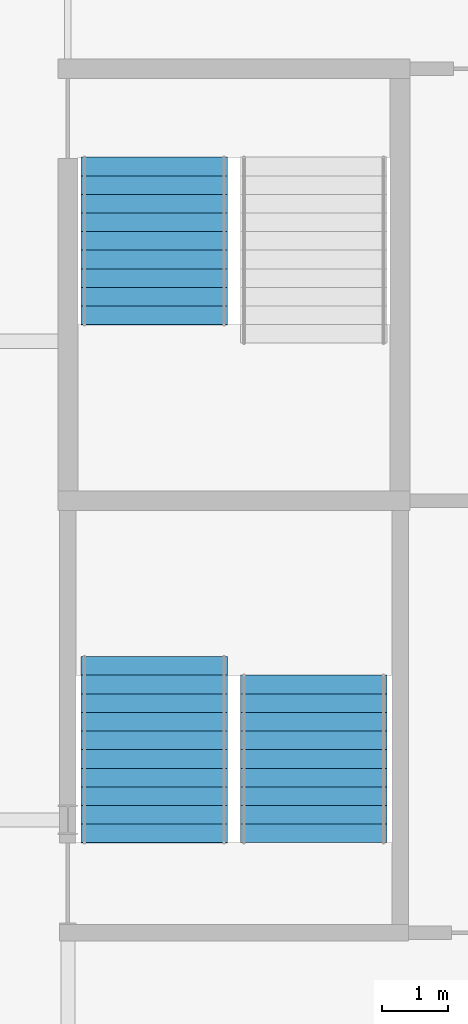
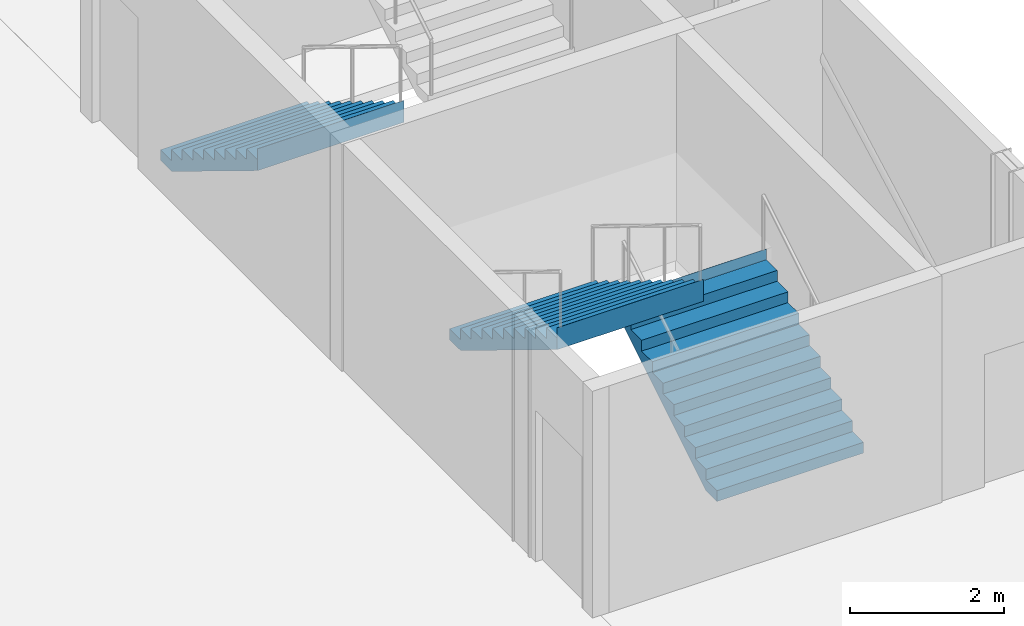
# One storey, part 96 of 143: 3 stair flights, 2 elements without a shape of their own.
"""IFC4 building model written with IfcOpenShell, lengths in metres."""

from ifc_helpers import new_model, si_unit, direction, frame, origin, place, context, subcontext, project, spatial, polyline, outline, extrude, material, type_object, element, aggregate, save


model = new_model("IFC4")

# Units and contexts
model_context = context("Model", 3, precision=1e-05, world=origin(), true_north=direction((0.0, 1.0)))
body_context = subcontext(model_context, "Body", "Model", "MODEL_VIEW")
ifc_project = project(units=[si_unit("LENGTHUNIT", "METRE"), si_unit("AREAUNIT", "SQUARE_METRE"), si_unit("VOLUMEUNIT", "CUBIC_METRE"), si_unit("PLANEANGLEUNIT", "RADIAN"), si_unit("MASSUNIT", "GRAM", prefix="KILO")], contexts=[model_context])

# Site, building, storey
site_placement = place(None, origin())
site = spatial("IfcSite", under=ifc_project, at=site_placement, CompositionType="ELEMENT")
building_placement = place(site_placement, origin())
building = spatial("IfcBuilding", under=site, at=building_placement, Name="Kupolbacken Congress Centre", CompositionType="ELEMENT")
storey_placement = place(building_placement, frame((0.0, 0.0, 7.199951171875)))
storey = spatial("IfcBuildingStorey", under=building, at=storey_placement, Name="L02", CompositionType="ELEMENT", Elevation=7.199951171875)

# Stair, stair flight
ifc_material_1 = material(Name="Concrete C30/37", Category="concrete")
stair_type = type_object("IfcStairType", Name="ST13 stair 2200", PredefinedType="TWO_STRAIGHT_RUN_STAIR", material=ifc_material_1)
stair_1_placement = place(storey_placement, origin())
stair_1 = element("IfcStair", 1, at=stair_1_placement, inside=storey, type_object=stair_type, Name="C/stair/LS4/L02", PredefinedType="NOTDEFINED")
ifc_material_2 = material(Name="Concrete C30/37", Category="concrete")
stair_flight_type_1 = type_object("IfcStairFlightType", Name="FL13 stair flight 2200 x 10 risers", PredefinedType="STRAIGHT", material=ifc_material_2)
stair_flight_1_placement = place(storey_placement, frame((82.89990234375, 93.2548828125, 0.0), z_axis=(0.0, 0.0, 1.0), x_axis=(0.0, 1.0, 0.0)))
stair_flight_1 = element("IfcStairFlight", 2, at=stair_flight_1_placement, type_object=stair_flight_type_1, Name="LS4 flight 1", NumberOfRisers=10, NumberOfTreads=9, PredefinedType="STRAIGHT", RiserHeight=0.171428571, TreadLength=0.28, context=body_context, shape_type="SweptSolid", body=[
    extrude(outline(polyline([(0.0, 0.0), (0.0, 0.0009765625), (0.0, 0.002197265625), (0.0, 0.003173828125), (0.0, 0.004150390625), (0.0, 0.00537109375), (0.0, 0.00634765625), (0.0, 0.007568359375), (0.0, 0.008544921875), (0.0, 0.009521484375), (0.0, 0.0107421875), (0.0, 0.01171875), (0.0, 0.0126953125), (0.0, 0.013916015625), (0.0, 0.014892578125), (0.0, 0.015869140625), (0.0, 0.01708984375), (0.0, 0.01806640625), (0.0, 0.019287109375), (0.0, 0.020263671875), (0.0, 0.021240234375), (0.0, 0.0224609375), (0.0, 0.0234375), (0.0, 0.0244140625), (0.0, 0.025634765625), (0.0, 0.026611328125), (0.0, 0.027587890625), (0.0, 0.02880859375), (0.0, 0.02978515625), (0.0, 0.03076171875), (0.0, 0.031982421875), (0.0, 0.032958984375), (0.0, 0.0341796875), (0.0, 0.03515625), (0.0, 0.0361328125), (0.0, 0.037353515625), (0.0, 0.038330078125), (0.0, 0.039306640625), (0.0, 0.04052734375), (0.0, 0.04150390625), (0.0, 0.04248046875), (0.0, 0.043701171875), (0.0, 0.044677734375), (0.0, 0.0458984375), (0.0, 0.046875), (0.0, 0.0478515625), (0.0, 0.049072265625), (0.0, 0.050048828125), (0.0, 0.051025390625), (0.0, 0.05224609375), (0.0, 0.05322265625), (0.0, 0.05419921875), (0.0, 0.055419921875), (0.0, 0.056396484375), (0.0, 0.0576171875), (0.0, 0.05859375), (0.0, 0.0595703125), (0.0, 0.060791015625), (0.0, 0.061767578125), (0.0, 0.062744140625), (0.0, 0.06396484375), (0.0, 0.06494140625), (0.0, 0.06591796875), (0.0, 0.067138671875), (0.0, 0.068115234375), (0.0, 0.069091796875), (0.0, 0.0703125), (0.0, 0.0712890625), (0.0, 0.072509765625), (0.0, 0.073486328125), (0.0, 0.074462890625), (0.0, 0.07568359375), (0.0, 0.07666015625), (0.0, 0.07763671875), (0.0, 0.078857421875), (0.0, 0.079833984375), (0.0, 0.080810546875), (0.0, 0.08203125), (0.0, 0.0830078125), (0.0, 0.084228515625), (0.0, 0.085205078125), (0.0, 0.086181640625), (0.0, 0.08740234375), (0.0, 0.08837890625), (0.0, 0.08935546875), (0.0, 0.090576171875), (0.0, 0.091552734375), (0.0, 0.092529296875), (0.0, 0.09375), (0.0, 0.0947265625), (0.0, 0.095947265625), (0.0, 0.096923828125), (0.0, 0.097900390625), (0.0, 0.09912109375), (0.0, 0.10009765625), (0.0, 0.10107421875), (0.0, 0.102294921875), (0.0, 0.103271484375), (0.0, 0.104248046875), (0.0, 0.10546875), (0.0, 0.1064453125), (0.0, 0.107421875), (0.0, 0.108642578125), (0.0, 0.109619140625), (0.0, 0.11083984375), (0.0, 0.11181640625), (0.0, 0.11279296875), (0.0, 0.114013671875), (0.0, 0.114990234375), (0.0, 0.115966796875), (0.0, 0.1171875), (0.0, 0.1181640625), (0.0, 0.119140625), (0.0, 0.120361328125), (0.0, 0.121337890625), (0.0, 0.12255859375), (0.0, 0.12353515625), (0.0, 0.12451171875), (0.0, 0.125732421875), (0.0, 0.126708984375), (0.0, 0.127685546875), (0.0, 0.12890625), (0.0, 0.1298828125), (0.0, 0.130859375), (0.0, 0.132080078125), (0.0, 0.133056640625), (0.0, 0.13427734375), (0.0, 0.13525390625), (0.0, 0.13623046875), (0.0, 0.137451171875), (0.0, 0.138427734375), (0.0, 0.139404296875), (0.0, 0.140625), (0.0, 0.1416015625), (0.0, 0.142578125), (0.0, 0.143798828125), (0.0, 0.144775390625), (0.0, 0.145751953125), (0.0, 0.14697265625), (0.0, 0.14794921875), (0.0, 0.149169921875), (0.0, 0.150146484375), (0.0, 0.151123046875), (0.0, 0.15234375), (0.0, 0.1533203125), (0.0, 0.154296875), (0.0, 0.155517578125), (0.0, 0.156494140625), (0.0, 0.157470703125), (0.0, 0.15869140625), (0.0, 0.15966796875), (0.0, 0.160888671875), (0.0, 0.161865234375), (0.0, 0.162841796875), (0.0, 0.1640625), (0.0, 0.1650390625), (0.0, 0.166015625), (0.0, 0.167236328125), (0.0, 0.168212890625), (0.0, 0.169189453125), (0.0, 0.17041015625), (0.0, 0.17138671875), (0.280029296875, 0.17138671875), (0.280029296875, 0.3427734375), (0.56005859375, 0.3427734375), (0.56005859375, 0.514404296875), (0.840087890625, 0.514404296875), (0.840087890625, 0.685791015625), (1.1201171875, 0.685791015625), (1.1201171875, 0.857177734375), (1.39990234375, 0.857177734375), (1.39990234375, 1.028564453125), (1.679931640625, 1.028564453125), (1.679931640625, 1.199951171875), (1.9599609375, 1.199951171875), (1.9599609375, 1.371337890625), (2.239990234375, 1.371337890625), (2.239990234375, 1.54296875), (2.52001953125, 1.54296875), (2.52001953125, 1.71435546875), (2.52197265625, 1.71435546875), (2.52197265625, 1.712158203125), (2.52197265625, 1.7099609375), (2.52197265625, 1.707763671875), (2.52197265625, 1.70556640625), (2.52197265625, 1.70361328125), (2.52197265625, 1.701416015625), (2.52197265625, 1.69921875), (2.52197265625, 1.697021484375), (2.52197265625, 1.69482421875), (2.52197265625, 1.692626953125), (2.52197265625, 1.690673828125), (2.52197265625, 1.6884765625), (2.52197265625, 1.686279296875), (2.52197265625, 1.68408203125), (2.52197265625, 1.681884765625), (2.52197265625, 1.6796875), (2.52197265625, 1.677734375), (2.52197265625, 1.675537109375), (2.52197265625, 1.67333984375), (2.52197265625, 1.671142578125), (2.52197265625, 1.6689453125), (2.52197265625, 1.666748046875), (2.52197265625, 1.664794921875), (2.52197265625, 1.66259765625), (2.52197265625, 1.660400390625), (2.52197265625, 1.658203125), (2.52197265625, 1.656005859375), (2.52197265625, 1.65380859375), (2.52197265625, 1.65185546875), (2.52197265625, 1.649658203125), (2.52197265625, 1.6474609375), (2.52197265625, 1.645263671875), (2.52197265625, 1.64306640625), (2.52197265625, 1.640869140625), (2.52197265625, 1.638916015625), (2.52197265625, 1.63671875), (2.52197265625, 1.634521484375), (2.52197265625, 1.63232421875), (2.52197265625, 1.630126953125), (2.52197265625, 1.6279296875), (2.52197265625, 1.6259765625), (2.52197265625, 1.623779296875), (2.52197265625, 1.62158203125), (2.52197265625, 1.619384765625), (2.52197265625, 1.6171875), (2.52197265625, 1.614990234375), (2.52197265625, 1.613037109375), (2.52197265625, 1.61083984375), (2.52197265625, 1.608642578125), (2.52197265625, 1.6064453125), (2.52197265625, 1.604248046875), (2.52197265625, 1.60205078125), (2.52197265625, 1.60009765625), (2.52197265625, 1.597900390625), (2.52197265625, 1.595703125), (2.52197265625, 1.593505859375), (2.52197265625, 1.59130859375), (2.52197265625, 1.589111328125), (2.52197265625, 1.587158203125), (2.52197265625, 1.5849609375), (2.52197265625, 1.582763671875), (2.52197265625, 1.58056640625), (2.52197265625, 1.578369140625), (2.52197265625, 1.576171875), (2.52197265625, 1.57421875), (2.52197265625, 1.572021484375), (2.52197265625, 1.56982421875), (2.52197265625, 1.567626953125), (2.52197265625, 1.5654296875), (2.52197265625, 1.563232421875), (2.52197265625, 1.561279296875), (2.52197265625, 1.55908203125), (2.52197265625, 1.556884765625), (2.52197265625, 1.5546875), (2.52197265625, 1.552490234375), (2.52197265625, 1.55029296875), (2.52197265625, 1.54833984375), (2.52197265625, 1.546142578125), (2.52197265625, 1.5439453125), (2.52197265625, 1.541748046875), (2.52197265625, 1.53955078125), (2.52197265625, 1.537353515625), (2.52197265625, 1.535400390625), (2.52197265625, 1.533203125), (2.52197265625, 1.531005859375), (2.52197265625, 1.52880859375), (2.52197265625, 1.526611328125), (2.52197265625, 1.5244140625), (2.52197265625, 1.5224609375), (2.52197265625, 1.520263671875), (2.52197265625, 1.51806640625), (2.52197265625, 1.515869140625), (2.52197265625, 1.513671875), (2.52197265625, 1.511474609375), (2.52197265625, 1.509521484375), (2.52197265625, 1.50732421875), (2.52197265625, 1.505126953125), (2.52197265625, 1.5029296875), (2.52197265625, 1.500732421875), (2.52197265625, 1.49853515625), (2.52197265625, 1.49658203125), (2.52197265625, 1.494384765625), (2.52197265625, 1.4921875), (2.52197265625, 1.489990234375), (2.52197265625, 1.48779296875), (2.52197265625, 1.485595703125), (2.52197265625, 1.483642578125), (2.52197265625, 1.4814453125), (2.52197265625, 1.479248046875), (2.52197265625, 1.47705078125), (2.52197265625, 1.474853515625), (2.52197265625, 1.47265625), (2.52197265625, 1.470703125), (2.52197265625, 1.468505859375), (2.52197265625, 1.46630859375), (2.52197265625, 1.464111328125), (2.52197265625, 1.4619140625), (2.52197265625, 1.459716796875), (2.52197265625, 1.457763671875), (2.52197265625, 1.45556640625), (2.52197265625, 1.453369140625), (2.52197265625, 1.451171875), (2.52197265625, 1.448974609375), (2.52197265625, 1.44677734375), (2.52197265625, 1.44482421875), (2.52197265625, 1.442626953125), (2.52197265625, 1.4404296875), (2.52197265625, 1.438232421875), (2.52197265625, 1.43603515625), (2.52197265625, 1.433837890625), (2.52197265625, 1.431884765625), (2.52197265625, 1.4296875), (2.52197265625, 1.427490234375), (2.52197265625, 1.42529296875), (2.52197265625, 1.423095703125), (2.52197265625, 1.4208984375), (2.52197265625, 1.4189453125), (2.52197265625, 1.416748046875), (2.52197265625, 1.41455078125), (2.52197265625, 1.412353515625), (2.52197265625, 1.41015625), (2.52197265625, 1.407958984375), (2.52197265625, 1.406005859375), (2.52197265625, 1.40380859375), (2.52197265625, 1.401611328125), (2.52197265625, 1.3994140625), (2.52197265625, 1.397216796875), (2.52197265625, 1.39501953125), (2.52197265625, 1.39306640625), (2.52197265625, 1.390869140625), (2.52197265625, 1.388671875), (2.52197265625, 1.386474609375), (2.52197265625, 1.38427734375), (2.52197265625, 1.382080078125), (2.52197265625, 1.380126953125), (2.52197265625, 1.3779296875), (2.52197265625, 1.375732421875), (2.52197265625, 1.37353515625), (2.52197265625, 1.371337890625), (2.52197265625, 1.369140625), (2.52197265625, 1.3671875), (0.2890625, 0.0), (0.0, 0.0)])), frame((0.0, 1.10009765625, 0.0), z_axis=(0.0, -1.0, 0.0), x_axis=(1.0, 0.0, 0.0)), (0.0, 0.0, 1.0), 2.199951171875),
])

stair_2_placement = place(storey_placement, origin())
stair_2 = element("IfcStair", 3, at=stair_2_placement, inside=storey, type_object=stair_type, Name="C/stair/LS2/L02", PredefinedType="NOTDEFINED")
stair_flight_2_placement = place(storey_placement, frame((80.5, 103.570068359375, 0.0), z_axis=(0.0, 0.0, 1.0), x_axis=(0.0, -1.0, 0.0)))
stair_flight_2 = element("IfcStairFlight", 4, at=stair_flight_2_placement, type_object=stair_flight_type_1, Name="LS2 flight 1", NumberOfRisers=10, NumberOfTreads=9, PredefinedType="STRAIGHT", RiserHeight=0.171428571, TreadLength=0.28, context=body_context, shape_type="SweptSolid", body=[
    extrude(outline(polyline([(0.0, 0.0), (0.0, 0.0009765625), (0.0, 0.002197265625), (0.0, 0.003173828125), (0.0, 0.004150390625), (0.0, 0.00537109375), (0.0, 0.00634765625), (0.0, 0.007568359375), (0.0, 0.008544921875), (0.0, 0.009521484375), (0.0, 0.0107421875), (0.0, 0.01171875), (0.0, 0.0126953125), (0.0, 0.013916015625), (0.0, 0.014892578125), (0.0, 0.015869140625), (0.0, 0.01708984375), (0.0, 0.01806640625), (0.0, 0.019287109375), (0.0, 0.020263671875), (0.0, 0.021240234375), (0.0, 0.0224609375), (0.0, 0.0234375), (0.0, 0.0244140625), (0.0, 0.025634765625), (0.0, 0.026611328125), (0.0, 0.027587890625), (0.0, 0.02880859375), (0.0, 0.02978515625), (0.0, 0.03076171875), (0.0, 0.031982421875), (0.0, 0.032958984375), (0.0, 0.0341796875), (0.0, 0.03515625), (0.0, 0.0361328125), (0.0, 0.037353515625), (0.0, 0.038330078125), (0.0, 0.039306640625), (0.0, 0.04052734375), (0.0, 0.04150390625), (0.0, 0.04248046875), (0.0, 0.043701171875), (0.0, 0.044677734375), (0.0, 0.0458984375), (0.0, 0.046875), (0.0, 0.0478515625), (0.0, 0.049072265625), (0.0, 0.050048828125), (0.0, 0.051025390625), (0.0, 0.05224609375), (0.0, 0.05322265625), (0.0, 0.05419921875), (0.0, 0.055419921875), (0.0, 0.056396484375), (0.0, 0.0576171875), (0.0, 0.05859375), (0.0, 0.0595703125), (0.0, 0.060791015625), (0.0, 0.061767578125), (0.0, 0.062744140625), (0.0, 0.06396484375), (0.0, 0.06494140625), (0.0, 0.06591796875), (0.0, 0.067138671875), (0.0, 0.068115234375), (0.0, 0.069091796875), (0.0, 0.0703125), (0.0, 0.0712890625), (0.0, 0.072509765625), (0.0, 0.073486328125), (0.0, 0.074462890625), (0.0, 0.07568359375), (0.0, 0.07666015625), (0.0, 0.07763671875), (0.0, 0.078857421875), (0.0, 0.079833984375), (0.0, 0.080810546875), (0.0, 0.08203125), (0.0, 0.0830078125), (0.0, 0.084228515625), (0.0, 0.085205078125), (0.0, 0.086181640625), (0.0, 0.08740234375), (0.0, 0.08837890625), (0.0, 0.08935546875), (0.0, 0.090576171875), (0.0, 0.091552734375), (0.0, 0.092529296875), (0.0, 0.09375), (0.0, 0.0947265625), (0.0, 0.095947265625), (0.0, 0.096923828125), (0.0, 0.097900390625), (0.0, 0.09912109375), (0.0, 0.10009765625), (0.0, 0.10107421875), (0.0, 0.102294921875), (0.0, 0.103271484375), (0.0, 0.104248046875), (0.0, 0.10546875), (0.0, 0.1064453125), (0.0, 0.107421875), (0.0, 0.108642578125), (0.0, 0.109619140625), (0.0, 0.11083984375), (0.0, 0.11181640625), (0.0, 0.11279296875), (0.0, 0.114013671875), (0.0, 0.114990234375), (0.0, 0.115966796875), (0.0, 0.1171875), (0.0, 0.1181640625), (0.0, 0.119140625), (0.0, 0.120361328125), (0.0, 0.121337890625), (0.0, 0.12255859375), (0.0, 0.12353515625), (0.0, 0.12451171875), (0.0, 0.125732421875), (0.0, 0.126708984375), (0.0, 0.127685546875), (0.0, 0.12890625), (0.0, 0.1298828125), (0.0, 0.130859375), (0.0, 0.132080078125), (0.0, 0.133056640625), (0.0, 0.13427734375), (0.0, 0.13525390625), (0.0, 0.13623046875), (0.0, 0.137451171875), (0.0, 0.138427734375), (0.0, 0.139404296875), (0.0, 0.140625), (0.0, 0.1416015625), (0.0, 0.142578125), (0.0, 0.143798828125), (0.0, 0.144775390625), (0.0, 0.145751953125), (0.0, 0.14697265625), (0.0, 0.14794921875), (0.0, 0.149169921875), (0.0, 0.150146484375), (0.0, 0.151123046875), (0.0, 0.15234375), (0.0, 0.1533203125), (0.0, 0.154296875), (0.0, 0.155517578125), (0.0, 0.156494140625), (0.0, 0.157470703125), (0.0, 0.15869140625), (0.0, 0.15966796875), (0.0, 0.160888671875), (0.0, 0.161865234375), (0.0, 0.162841796875), (0.0, 0.1640625), (0.0, 0.1650390625), (0.0, 0.166015625), (0.0, 0.167236328125), (0.0, 0.168212890625), (0.0, 0.169189453125), (0.0, 0.17041015625), (0.0, 0.17138671875), (0.280029296875, 0.17138671875), (0.280029296875, 0.3427734375), (0.56005859375, 0.3427734375), (0.56005859375, 0.514404296875), (0.840087890625, 0.514404296875), (0.840087890625, 0.685791015625), (1.1201171875, 0.685791015625), (1.1201171875, 0.857177734375), (1.39990234375, 0.857177734375), (1.39990234375, 1.028564453125), (1.679931640625, 1.028564453125), (1.679931640625, 1.199951171875), (1.9599609375, 1.199951171875), (1.9599609375, 1.371337890625), (2.239990234375, 1.371337890625), (2.239990234375, 1.54296875), (2.52001953125, 1.54296875), (2.52001953125, 1.71435546875), (2.52197265625, 1.71435546875), (2.52197265625, 1.712158203125), (2.52197265625, 1.7099609375), (2.52197265625, 1.707763671875), (2.52197265625, 1.70556640625), (2.52197265625, 1.70361328125), (2.52197265625, 1.701416015625), (2.52197265625, 1.69921875), (2.52197265625, 1.697021484375), (2.52197265625, 1.69482421875), (2.52197265625, 1.692626953125), (2.52197265625, 1.690673828125), (2.52197265625, 1.6884765625), (2.52197265625, 1.686279296875), (2.52197265625, 1.68408203125), (2.52197265625, 1.681884765625), (2.52197265625, 1.6796875), (2.52197265625, 1.677734375), (2.52197265625, 1.675537109375), (2.52197265625, 1.67333984375), (2.52197265625, 1.671142578125), (2.52197265625, 1.6689453125), (2.52197265625, 1.666748046875), (2.52197265625, 1.664794921875), (2.52197265625, 1.66259765625), (2.52197265625, 1.660400390625), (2.52197265625, 1.658203125), (2.52197265625, 1.656005859375), (2.52197265625, 1.65380859375), (2.52197265625, 1.65185546875), (2.52197265625, 1.649658203125), (2.52197265625, 1.6474609375), (2.52197265625, 1.645263671875), (2.52197265625, 1.64306640625), (2.52197265625, 1.640869140625), (2.52197265625, 1.638916015625), (2.52197265625, 1.63671875), (2.52197265625, 1.634521484375), (2.52197265625, 1.63232421875), (2.52197265625, 1.630126953125), (2.52197265625, 1.6279296875), (2.52197265625, 1.6259765625), (2.52197265625, 1.623779296875), (2.52197265625, 1.62158203125), (2.52197265625, 1.619384765625), (2.52197265625, 1.6171875), (2.52197265625, 1.614990234375), (2.52197265625, 1.613037109375), (2.52197265625, 1.61083984375), (2.52197265625, 1.608642578125), (2.52197265625, 1.6064453125), (2.52197265625, 1.604248046875), (2.52197265625, 1.60205078125), (2.52197265625, 1.60009765625), (2.52197265625, 1.597900390625), (2.52197265625, 1.595703125), (2.52197265625, 1.593505859375), (2.52197265625, 1.59130859375), (2.52197265625, 1.589111328125), (2.52197265625, 1.587158203125), (2.52197265625, 1.5849609375), (2.52197265625, 1.582763671875), (2.52197265625, 1.58056640625), (2.52197265625, 1.578369140625), (2.52197265625, 1.576171875), (2.52197265625, 1.57421875), (2.52197265625, 1.572021484375), (2.52197265625, 1.56982421875), (2.52197265625, 1.567626953125), (2.52197265625, 1.5654296875), (2.52197265625, 1.563232421875), (2.52197265625, 1.561279296875), (2.52197265625, 1.55908203125), (2.52197265625, 1.556884765625), (2.52197265625, 1.5546875), (2.52197265625, 1.552490234375), (2.52197265625, 1.55029296875), (2.52197265625, 1.54833984375), (2.52197265625, 1.546142578125), (2.52197265625, 1.5439453125), (2.52197265625, 1.541748046875), (2.52197265625, 1.53955078125), (2.52197265625, 1.537353515625), (2.52197265625, 1.535400390625), (2.52197265625, 1.533203125), (2.52197265625, 1.531005859375), (2.52197265625, 1.52880859375), (2.52197265625, 1.526611328125), (2.52197265625, 1.5244140625), (2.52197265625, 1.5224609375), (2.52197265625, 1.520263671875), (2.52197265625, 1.51806640625), (2.52197265625, 1.515869140625), (2.52197265625, 1.513671875), (2.52197265625, 1.511474609375), (2.52197265625, 1.509521484375), (2.52197265625, 1.50732421875), (2.52197265625, 1.505126953125), (2.52197265625, 1.5029296875), (2.52197265625, 1.500732421875), (2.52197265625, 1.49853515625), (2.52197265625, 1.49658203125), (2.52197265625, 1.494384765625), (2.52197265625, 1.4921875), (2.52197265625, 1.489990234375), (2.52197265625, 1.48779296875), (2.52197265625, 1.485595703125), (2.52197265625, 1.483642578125), (2.52197265625, 1.4814453125), (2.52197265625, 1.479248046875), (2.52197265625, 1.47705078125), (2.52197265625, 1.474853515625), (2.52197265625, 1.47265625), (2.52197265625, 1.470703125), (2.52197265625, 1.468505859375), (2.52197265625, 1.46630859375), (2.52197265625, 1.464111328125), (2.52197265625, 1.4619140625), (2.52197265625, 1.459716796875), (2.52197265625, 1.457763671875), (2.52197265625, 1.45556640625), (2.52197265625, 1.453369140625), (2.52197265625, 1.451171875), (2.52197265625, 1.448974609375), (2.52197265625, 1.44677734375), (2.52197265625, 1.44482421875), (2.52197265625, 1.442626953125), (2.52197265625, 1.4404296875), (2.52197265625, 1.438232421875), (2.52197265625, 1.43603515625), (2.52197265625, 1.433837890625), (2.52197265625, 1.431884765625), (2.52197265625, 1.4296875), (2.52197265625, 1.427490234375), (2.52197265625, 1.42529296875), (2.52197265625, 1.423095703125), (2.52197265625, 1.4208984375), (2.52197265625, 1.4189453125), (2.52197265625, 1.416748046875), (2.52197265625, 1.41455078125), (2.52197265625, 1.412353515625), (2.52197265625, 1.41015625), (2.52197265625, 1.407958984375), (2.52197265625, 1.406005859375), (2.52197265625, 1.40380859375), (2.52197265625, 1.401611328125), (2.52197265625, 1.3994140625), (2.52197265625, 1.397216796875), (2.52197265625, 1.39501953125), (2.52197265625, 1.39306640625), (2.52197265625, 1.390869140625), (2.52197265625, 1.388671875), (2.52197265625, 1.386474609375), (2.52197265625, 1.38427734375), (2.52197265625, 1.382080078125), (2.52197265625, 1.380126953125), (2.52197265625, 1.3779296875), (2.52197265625, 1.375732421875), (2.52197265625, 1.37353515625), (2.52197265625, 1.371337890625), (2.52197265625, 1.369140625), (2.52197265625, 1.3671875), (0.2890625, 0.0), (0.0, 0.0)])), frame((0.0, 1.10009765625, 0.0), z_axis=(0.0, -1.0, 0.0), x_axis=(1.0, 0.0, 0.0)), (0.0, 0.0, 1.0), 2.199951171875),
])
aggregate(stair_2, [stair_flight_2])

# Stair flight
ifc_material_3 = material(Name="Concrete C30/37", Category="concrete")
stair_flight_type_2 = type_object("IfcStairFlightType", Name="FL14 stair flight 2200 x 11 risers", PredefinedType="STRAIGHT", material=ifc_material_3)
stair_flight_3_placement = place(storey_placement, frame((80.5, 96.054931640625, 1.71435546875), z_axis=(0.0, 0.0, 1.0), x_axis=(0.0, -1.0, 0.0)))
stair_flight_3 = element("IfcStairFlight", 5, at=stair_flight_3_placement, type_object=stair_flight_type_2, Name="LS4 flight 2", NumberOfRisers=11, NumberOfTreads=10, PredefinedType="STRAIGHT", RiserHeight=0.171428571, TreadLength=0.28, context=body_context, shape_type="SweptSolid", body=[
    extrude(outline(polyline([(0.0, 0.0), (0.0, 0.0009765625), (0.0, 0.002197265625), (0.0, 0.003173828125), (0.0, 0.004150390625), (0.0, 0.00537109375), (0.0, 0.00634765625), (0.0, 0.007568359375), (0.0, 0.008544921875), (0.0, 0.009521484375), (0.0, 0.0107421875), (0.0, 0.01171875), (0.0, 0.0126953125), (0.0, 0.013916015625), (0.0, 0.014892578125), (0.0, 0.015869140625), (0.0, 0.01708984375), (0.0, 0.01806640625), (0.0, 0.019287109375), (0.0, 0.020263671875), (0.0, 0.021240234375), (0.0, 0.0224609375), (0.0, 0.0234375), (0.0, 0.0244140625), (0.0, 0.025634765625), (0.0, 0.026611328125), (0.0, 0.027587890625), (0.0, 0.02880859375), (0.0, 0.02978515625), (0.0, 0.03076171875), (0.0, 0.031982421875), (0.0, 0.032958984375), (0.0, 0.0341796875), (0.0, 0.03515625), (0.0, 0.0361328125), (0.0, 0.037353515625), (0.0, 0.038330078125), (0.0, 0.039306640625), (0.0, 0.04052734375), (0.0, 0.04150390625), (0.0, 0.04248046875), (0.0, 0.043701171875), (0.0, 0.044677734375), (0.0, 0.0458984375), (0.0, 0.046875), (0.0, 0.0478515625), (0.0, 0.049072265625), (0.0, 0.050048828125), (0.0, 0.051025390625), (0.0, 0.05224609375), (0.0, 0.05322265625), (0.0, 0.05419921875), (0.0, 0.055419921875), (0.0, 0.056396484375), (0.0, 0.0576171875), (0.0, 0.05859375), (0.0, 0.0595703125), (0.0, 0.060791015625), (0.0, 0.061767578125), (0.0, 0.062744140625), (0.0, 0.06396484375), (0.0, 0.06494140625), (0.0, 0.06591796875), (0.0, 0.067138671875), (0.0, 0.068115234375), (0.0, 0.069091796875), (0.0, 0.0703125), (0.0, 0.0712890625), (0.0, 0.072509765625), (0.0, 0.073486328125), (0.0, 0.074462890625), (0.0, 0.07568359375), (0.0, 0.07666015625), (0.0, 0.07763671875), (0.0, 0.078857421875), (0.0, 0.079833984375), (0.0, 0.080810546875), (0.0, 0.08203125), (0.0, 0.0830078125), (0.0, 0.084228515625), (0.0, 0.085205078125), (0.0, 0.086181640625), (0.0, 0.08740234375), (0.0, 0.08837890625), (0.0, 0.08935546875), (0.0, 0.090576171875), (0.0, 0.091552734375), (0.0, 0.092529296875), (0.0, 0.09375), (0.0, 0.0947265625), (0.0, 0.095947265625), (0.0, 0.096923828125), (0.0, 0.097900390625), (0.0, 0.09912109375), (0.0, 0.10009765625), (0.0, 0.10107421875), (0.0, 0.102294921875), (0.0, 0.103271484375), (0.0, 0.104248046875), (0.0, 0.10546875), (0.0, 0.1064453125), (0.0, 0.107421875), (0.0, 0.108642578125), (0.0, 0.109619140625), (0.0, 0.11083984375), (0.0, 0.11181640625), (0.0, 0.11279296875), (0.0, 0.114013671875), (0.0, 0.114990234375), (0.0, 0.115966796875), (0.0, 0.1171875), (0.0, 0.1181640625), (0.0, 0.119140625), (0.0, 0.120361328125), (0.0, 0.121337890625), (0.0, 0.12255859375), (0.0, 0.12353515625), (0.0, 0.12451171875), (0.0, 0.125732421875), (0.0, 0.126708984375), (0.0, 0.127685546875), (0.0, 0.12890625), (0.0, 0.1298828125), (0.0, 0.130859375), (0.0, 0.132080078125), (0.0, 0.133056640625), (0.0, 0.13427734375), (0.0, 0.13525390625), (0.0, 0.13623046875), (0.0, 0.137451171875), (0.0, 0.138427734375), (0.0, 0.139404296875), (0.0, 0.140625), (0.0, 0.1416015625), (0.0, 0.142578125), (0.0, 0.143798828125), (0.0, 0.144775390625), (0.0, 0.145751953125), (0.0, 0.14697265625), (0.0, 0.14794921875), (0.0, 0.149169921875), (0.0, 0.150146484375), (0.0, 0.151123046875), (0.0, 0.15234375), (0.0, 0.1533203125), (0.0, 0.154296875), (0.0, 0.155517578125), (0.0, 0.156494140625), (0.0, 0.157470703125), (0.0, 0.15869140625), (0.0, 0.15966796875), (0.0, 0.160888671875), (0.0, 0.161865234375), (0.0, 0.162841796875), (0.0, 0.1640625), (0.0, 0.1650390625), (0.0, 0.166015625), (0.0, 0.167236328125), (0.0, 0.168212890625), (0.0, 0.169189453125), (0.0, 0.17041015625), (0.0, 0.17138671875), (0.280029296875, 0.17138671875), (0.280029296875, 0.3427734375), (0.56005859375, 0.3427734375), (0.56005859375, 0.514404296875), (0.840087890625, 0.514404296875), (0.840087890625, 0.685791015625), (1.1201171875, 0.685791015625), (1.1201171875, 0.857177734375), (1.39990234375, 0.857177734375), (1.39990234375, 1.028564453125), (1.679931640625, 1.028564453125), (1.679931640625, 1.199951171875), (1.9599609375, 1.199951171875), (1.9599609375, 1.371337890625), (2.239990234375, 1.371337890625), (2.239990234375, 1.54296875), (2.52001953125, 1.54296875), (2.52001953125, 1.71435546875), (2.800048828125, 1.71435546875), (2.800048828125, 1.8857421875), (2.802001953125, 1.8857421875), (2.802001953125, 1.883544921875), (2.802001953125, 1.88134765625), (2.802001953125, 1.879150390625), (2.802001953125, 1.877197265625), (2.802001953125, 1.875), (2.802001953125, 1.872802734375), (2.802001953125, 1.87060546875), (2.802001953125, 1.868408203125), (2.802001953125, 1.8662109375), (2.802001953125, 1.8642578125), (2.802001953125, 1.862060546875), (2.802001953125, 1.85986328125), (2.802001953125, 1.857666015625), (2.802001953125, 1.85546875), (2.802001953125, 1.853271484375), (2.802001953125, 1.851318359375), (2.802001953125, 1.84912109375), (2.802001953125, 1.846923828125), (2.802001953125, 1.8447265625), (2.802001953125, 1.842529296875), (2.802001953125, 1.84033203125), (2.802001953125, 1.83837890625), (2.802001953125, 1.836181640625), (2.802001953125, 1.833984375), (2.802001953125, 1.831787109375), (2.802001953125, 1.82958984375), (2.802001953125, 1.827392578125), (2.802001953125, 1.825439453125), (2.802001953125, 1.8232421875), (2.802001953125, 1.821044921875), (2.802001953125, 1.81884765625), (2.802001953125, 1.816650390625), (2.802001953125, 1.814453125), (2.802001953125, 1.8125), (2.802001953125, 1.810302734375), (2.802001953125, 1.80810546875), (2.802001953125, 1.805908203125), (2.802001953125, 1.8037109375), (2.802001953125, 1.801513671875), (2.802001953125, 1.799560546875), (2.802001953125, 1.79736328125), (2.802001953125, 1.795166015625), (2.802001953125, 1.79296875), (2.802001953125, 1.790771484375), (2.802001953125, 1.78857421875), (2.802001953125, 1.78662109375), (2.802001953125, 1.784423828125), (2.802001953125, 1.7822265625), (2.802001953125, 1.780029296875), (2.802001953125, 1.77783203125), (2.802001953125, 1.775634765625), (2.802001953125, 1.773681640625), (2.802001953125, 1.771484375), (2.802001953125, 1.769287109375), (2.802001953125, 1.76708984375), (2.802001953125, 1.764892578125), (2.802001953125, 1.7626953125), (2.802001953125, 1.7607421875), (2.802001953125, 1.758544921875), (2.802001953125, 1.75634765625), (2.802001953125, 1.754150390625), (2.802001953125, 1.751953125), (2.802001953125, 1.749755859375), (2.802001953125, 1.747802734375), (2.802001953125, 1.74560546875), (2.802001953125, 1.743408203125), (2.802001953125, 1.7412109375), (2.802001953125, 1.739013671875), (2.802001953125, 1.73681640625), (2.802001953125, 1.73486328125), (2.802001953125, 1.732666015625), (2.802001953125, 1.73046875), (2.802001953125, 1.728271484375), (2.802001953125, 1.72607421875), (2.802001953125, 1.723876953125), (2.802001953125, 1.721923828125), (2.802001953125, 1.7197265625), (2.802001953125, 1.717529296875), (2.802001953125, 1.71533203125), (2.802001953125, 1.713134765625), (2.802001953125, 1.7109375), (2.802001953125, 1.708984375), (2.802001953125, 1.706787109375), (2.802001953125, 1.70458984375), (2.802001953125, 1.702392578125), (2.802001953125, 1.7001953125), (2.802001953125, 1.697998046875), (2.802001953125, 1.696044921875), (2.802001953125, 1.69384765625), (2.802001953125, 1.691650390625), (2.802001953125, 1.689453125), (2.802001953125, 1.687255859375), (2.802001953125, 1.68505859375), (2.802001953125, 1.68310546875), (2.802001953125, 1.680908203125), (2.802001953125, 1.6787109375), (2.802001953125, 1.676513671875), (2.802001953125, 1.67431640625), (2.802001953125, 1.672119140625), (2.802001953125, 1.670166015625), (2.802001953125, 1.66796875), (2.802001953125, 1.665771484375), (2.802001953125, 1.66357421875), (2.802001953125, 1.661376953125), (2.802001953125, 1.6591796875), (2.802001953125, 1.6572265625), (2.802001953125, 1.655029296875), (2.802001953125, 1.65283203125), (2.802001953125, 1.650634765625), (2.802001953125, 1.6484375), (2.802001953125, 1.646240234375), (2.802001953125, 1.644287109375), (2.802001953125, 1.64208984375), (2.802001953125, 1.639892578125), (2.802001953125, 1.6376953125), (2.802001953125, 1.635498046875), (2.802001953125, 1.63330078125), (2.802001953125, 1.63134765625), (2.802001953125, 1.629150390625), (2.802001953125, 1.626953125), (2.802001953125, 1.624755859375), (2.802001953125, 1.62255859375), (2.802001953125, 1.620361328125), (2.802001953125, 1.618408203125), (2.802001953125, 1.6162109375), (2.802001953125, 1.614013671875), (2.802001953125, 1.61181640625), (2.802001953125, 1.609619140625), (2.802001953125, 1.607421875), (2.802001953125, 1.60546875), (2.802001953125, 1.603271484375), (2.802001953125, 1.60107421875), (2.802001953125, 1.598876953125), (2.802001953125, 1.5966796875), (2.802001953125, 1.594482421875), (2.802001953125, 1.592529296875), (2.802001953125, 1.59033203125), (2.802001953125, 1.588134765625), (2.802001953125, 1.5859375), (2.802001953125, 1.583740234375), (2.802001953125, 1.58154296875), (2.802001953125, 1.57958984375), (2.802001953125, 1.577392578125), (2.802001953125, 1.5751953125), (2.802001953125, 1.572998046875), (2.802001953125, 1.57080078125), (2.802001953125, 1.568603515625), (2.802001953125, 1.566650390625), (2.802001953125, 1.564453125), (2.802001953125, 1.562255859375), (2.802001953125, 1.56005859375), (2.802001953125, 1.557861328125), (2.802001953125, 1.5556640625), (2.802001953125, 1.5537109375), (2.802001953125, 1.551513671875), (2.802001953125, 1.54931640625), (2.802001953125, 1.547119140625), (2.802001953125, 1.544921875), (2.802001953125, 1.542724609375), (2.802001953125, 1.540771484375), (2.802001953125, 1.53857421875), (0.2890625, 0.0), (0.0, 0.0)])), frame((0.0, 1.10009765625, 0.0), z_axis=(0.0, -1.0, 0.0), x_axis=(1.0, 0.0, 0.0)), (0.0, 0.0, 1.0), 2.199951171875),
])

aggregate(stair_1, [stair_flight_1, stair_flight_3])

save(model, "model.ifc")
